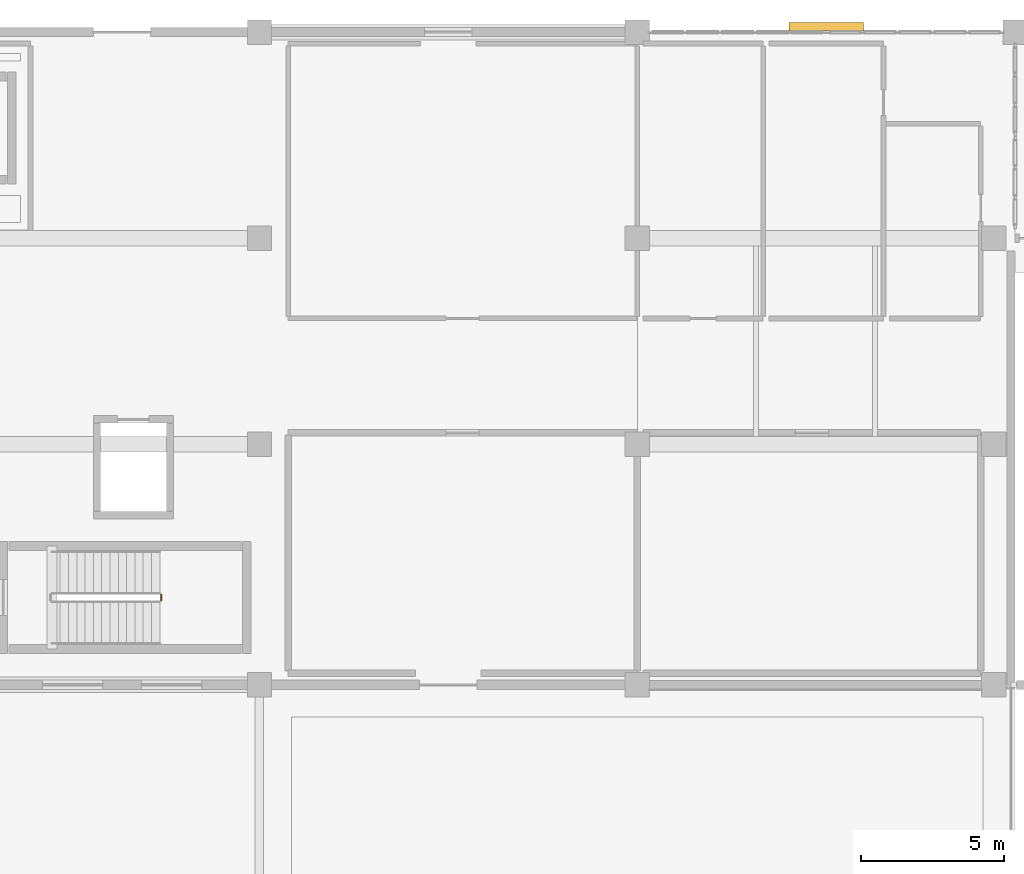
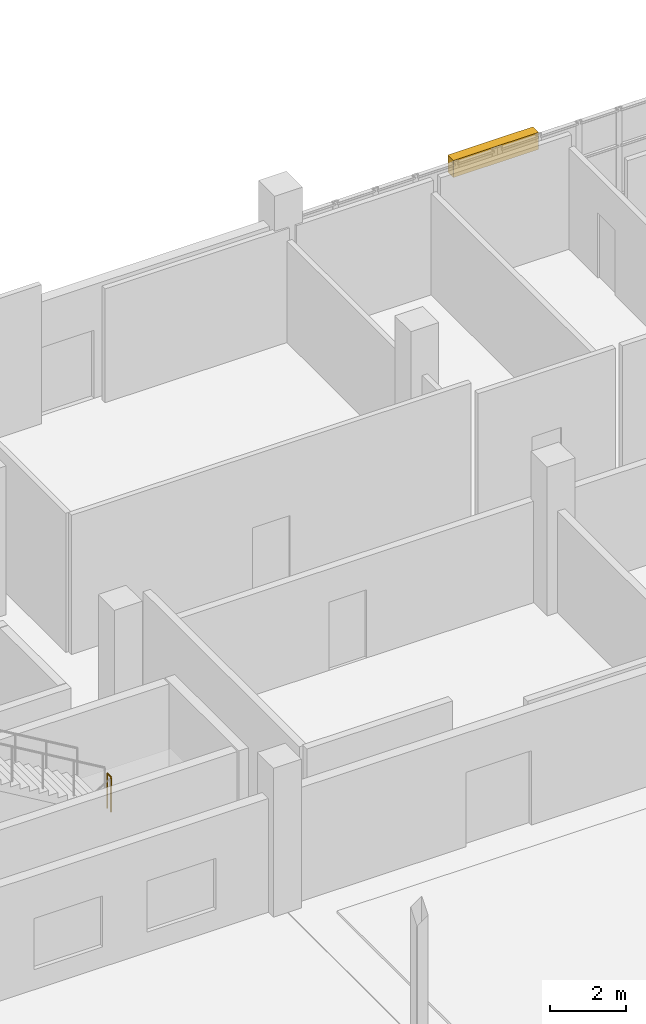
# One storey, part 95 of 97: 1 railing, 1 shading device.
"""IFC4 building model written with IfcOpenShell, lengths in metres."""

from ifc_helpers import new_model, si_unit, direction, frame, origin, origin_2d, place, context, subcontext, project, spatial, rectangle, circle, extrude, material, layer, layer_set, type_object, element, save


model = new_model("IFC4")

# Units and contexts
model_context = context("Model", 3, precision=1e-05, world=origin(), true_north=direction((0.0, 1.0)))
body_context = subcontext(model_context, "Body", "Model", "MODEL_VIEW")
ifc_project = project(units=[si_unit("LENGTHUNIT", "METRE"), si_unit("AREAUNIT", "SQUARE_METRE"), si_unit("VOLUMEUNIT", "CUBIC_METRE"), si_unit("PLANEANGLEUNIT", "RADIAN"), si_unit("MASSUNIT", "GRAM", prefix="KILO")], contexts=[model_context])

# Site, building, storey
site_placement = place(None, origin())
site = spatial("IfcSite", under=ifc_project, at=site_placement, CompositionType="ELEMENT")
building_placement = place(site_placement, origin())
building = spatial("IfcBuilding", under=site, at=building_placement, Name="Kisaragi Civic Commons", CompositionType="ELEMENT")
storey_placement = place(building_placement, origin())
storey = spatial("IfcBuildingStorey", under=building, at=storey_placement, Name="L00", CompositionType="ELEMENT", Elevation=0.0)

# Railing
ifc_material_1 = material(Name="Powder-coated architectural steel and hinoki cap rail", Category="steel")
railing_type = type_object("IfcRailingType", Name="GRD-S1", PredefinedType="GUARDRAIL", material=ifc_material_1)
railing_placement = place(storey_placement, frame((129.77001953125, 98.949951171875, 2.39990234375)))
element("IfcRailing", 1, at=railing_placement, inside=storey, type_object=railing_type, Name="L00 ST-L3 stair guard 2", PredefinedType="GUARDRAIL", context=body_context, shape_type="SweptSolid", body=[
    extrude(circle(Radius=0.02392578125, at=origin_2d()), frame((0.0, 0.0, 1.1259765625), z_axis=(0.0, 1.0, 0.0), x_axis=(-1.0, 0.0, 0.0)), (0.0, 0.0, 1.0), 0.199951171875),
    extrude(circle(Radius=0.02099609375, at=origin_2d()), origin(), (0.0, 0.0, 1.0), 1.101806640625),
    extrude(circle(Radius=0.02099609375, at=origin_2d()), frame((0.0, 0.199951171875, 0.0)), (0.0, 0.0, 1.0), 1.101806640625),
])

# Shading device
ifc_material_2 = material(Name="Extruded Tokoname terracotta sun-louvre blade", Category="masonry")
ifc_layer = layer(ifc_material_2, 0.550048828125, Name="Extruded Tokoname terracotta sun-louvre blade", Category="masonry")
ifc_layer_set = layer_set([ifc_layer], Name="Extruded Tokoname terracotta sun-louvre blade")
shading_device_type = type_object("IfcShadingDeviceType", Name="SHD-02", PredefinedType="JALOUSIE", material=ifc_layer_set)
shading_device_placement = place(storey_placement, frame((153.0, 118.989990234375, 3.1201171875), z_axis=(0.0, 0.0, 1.0), x_axis=(1.0, 0.0, 0.0)))
element("IfcShadingDevice", 2, at=shading_device_placement, inside=storey, type_object=shading_device_type, Name="V4 L00 terracotta sun-louvre 7", PredefinedType="JALOUSIE", context=body_context, shape_type="SweptSolid", body=[
    extrude(rectangle(XDim=2.60009765625, YDim=0.300048828125, at=origin_2d()), origin(), (0.0, 0.0, 1.0), 0.550048828125),
])

save(model, "model.ifc")
